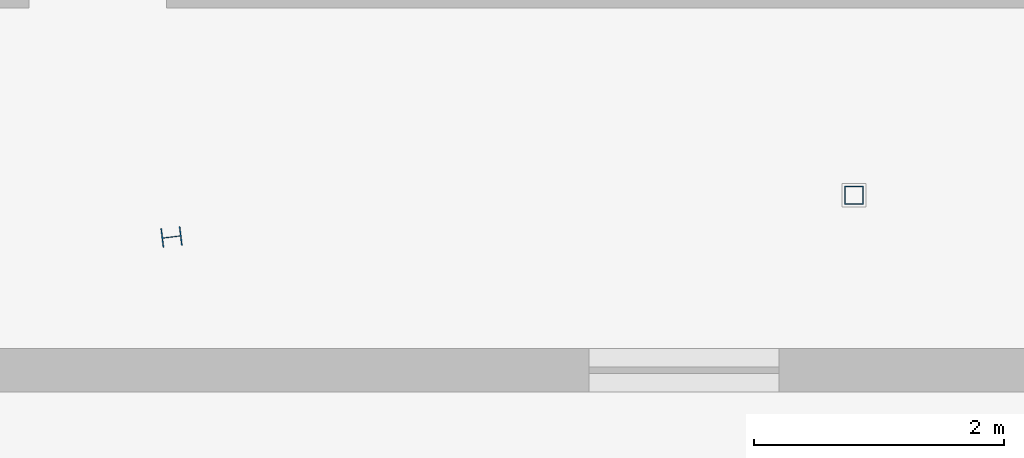
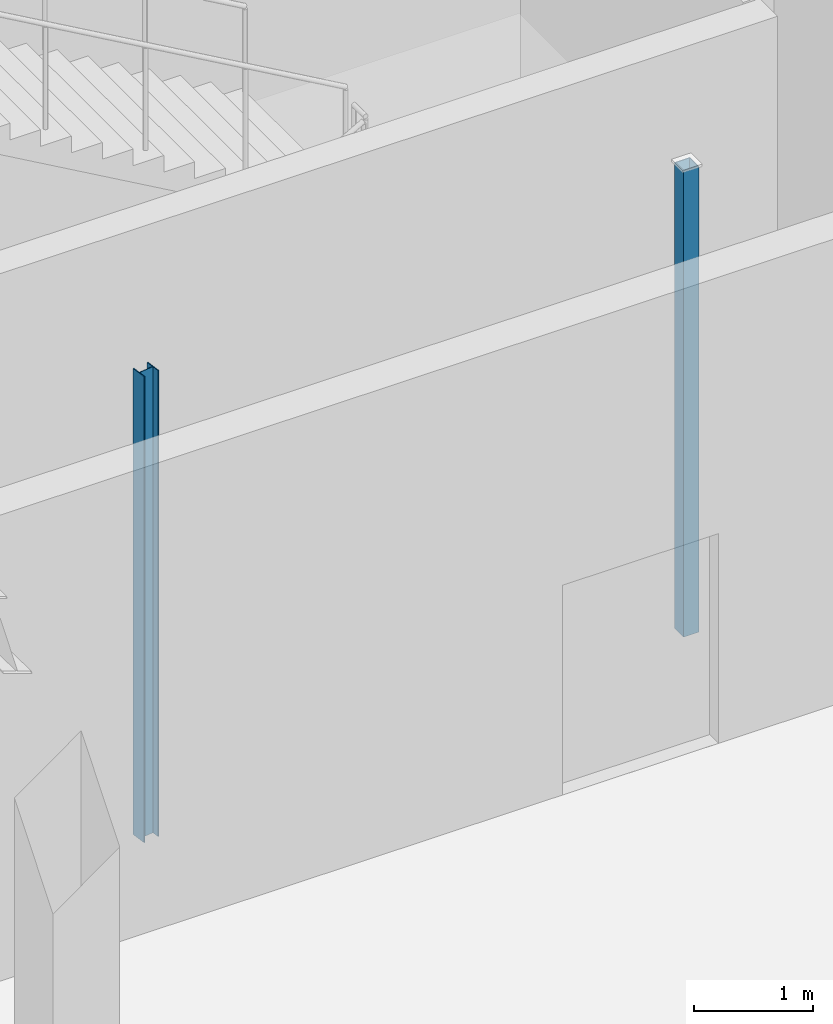
# One storey, part 31 of 226: 2 columns.
"""IFC4 building model written with IfcOpenShell, lengths in metres."""

import ifcopenshell
import ifcopenshell.guid

model = None  # the IFC model being written
_history = None  # IfcOwnerHistory: only IFC2X3 demands one
_inside = {}  # id of a spatial element -> (the spatial element, [elements in it])
_under = {}  # id of a project, library or spatial element -> (it, [spatial elements below it])
_declared = {}  # id of a project -> (the project, [libraries it declares])
_typed = {}  # id of a type object -> (the type object, [elements of that type])
_made_of = {}  # id of a material, layer set ... -> (it, [elements and type objects made of it])


def new_model(schema):
    """Start an empty IFC model of exactly this schema.

    Asked for "IFC4X3", IfcOpenShell would pick the latest addendum, in which some entities
    have other attributes; the version numbers below select the first issue.
    IFC2X3 requires an IfcOwnerHistory on every rooted entity: one is made here for all.
    """
    global model, _history
    if schema == "IFC4X3":
        model = ifcopenshell.file(schema_version=(4, 3, 0, 0))
    else:
        model = ifcopenshell.file(schema=schema)
    _inside.clear()
    _under.clear()
    _declared.clear()
    _typed.clear()
    _made_of.clear()
    _history = None
    if model.schema == "IFC2X3":
        org = make("IfcOrganization", Name="unknown")
        user = make(
            "IfcPersonAndOrganization",
            ThePerson=make("IfcPerson", FamilyName="unknown"),
            TheOrganization=org,
        )
        app = make(
            "IfcApplication",
            ApplicationDeveloper=org,
            Version="unknown",
            ApplicationFullName="unknown",
            ApplicationIdentifier="unknown",
        )
        _history = make(
            "IfcOwnerHistory",
            OwningUser=user,
            OwningApplication=app,
            ChangeAction="ADDED",
            CreationDate=0,
        )
    return model


def make(cls, **values):
    """One entity of the class cls with the attributes given. An attribute that is None is left unset."""
    return model.create_entity(
        cls, **{name: value for name, value in values.items() if value is not None}
    )


def rooted(cls, **values):
    """An entity with a GlobalId (a new one), such as an element, a storey or a relation."""
    return make(cls, GlobalId=ifcopenshell.guid.new(), OwnerHistory=_history, **values)


def si_unit(unit_type, name, prefix=None):
    """IfcSIUnit, for example si_unit("LENGTHUNIT", "METRE", prefix="MILLI")."""
    return make("IfcSIUnit", UnitType=unit_type, Prefix=prefix, Name=name)


def assignment(units):
    """IfcUnitAssignment: the units of a project."""
    return None if units is None else make("IfcUnitAssignment", Units=units)


def point(xyz):
    """IfcCartesianPoint."""
    return None if xyz is None else make("IfcCartesianPoint", Coordinates=xyz)


def direction(xyz):
    """IfcDirection."""
    return None if xyz is None else make("IfcDirection", DirectionRatios=xyz)


def frame(location, z_axis=None, x_axis=None):
    """IfcAxis2Placement3D, a coordinate frame: its origin and axes. An axis left out is left unset."""
    return make(
        "IfcAxis2Placement3D",
        Location=point(location),
        Axis=direction(z_axis),
        RefDirection=direction(x_axis),
    )


def frame_2d(location, x_axis=None):
    """IfcAxis2Placement2D, a coordinate frame in the plane: its origin and x axis."""
    return make(
        "IfcAxis2Placement2D", Location=point(location), RefDirection=direction(x_axis)
    )


def origin():
    """The frame at (0, 0, 0) with its axes left unset."""
    return frame((0.0, 0.0, 0.0))


def origin_2d():
    """The frame at (0, 0) in the plane with its x axis left unset."""
    return frame_2d((0.0, 0.0))


def place(relative_to, where):
    """IfcLocalPlacement: puts the frame where relative to a parent placement (None: the world)."""
    return make(
        "IfcLocalPlacement", PlacementRelTo=relative_to, RelativePlacement=where
    )


def context(
    kind, dimensions, precision=None, world=None, true_north=None, identifier=None
):
    """IfcGeometricRepresentationContext, for example the 3D "Model" context."""
    return make(
        "IfcGeometricRepresentationContext",
        ContextIdentifier=identifier,
        ContextType=kind,
        CoordinateSpaceDimension=dimensions,
        Precision=precision,
        WorldCoordinateSystem=world,
        TrueNorth=true_north,
    )


def subcontext(parent, identifier, kind, view, scale=None):
    """IfcGeometricRepresentationSubContext, for example "Body" below "Model"."""
    return make(
        "IfcGeometricRepresentationSubContext",
        ContextIdentifier=identifier,
        ContextType=kind,
        ParentContext=parent,
        TargetScale=scale,
        TargetView=view,
    )


def project(units=None, contexts=None):
    """IfcProject with its units and contexts."""
    return rooted(
        "IfcProject",
        Name="project",
        RepresentationContexts=contexts,
        UnitsInContext=assignment(units),
    )


def spatial(cls, under=None, at=None, **own):
    """A site, building, storey or space (cls), placed at a placement, below another one or the project."""
    s = rooted(cls, ObjectPlacement=at, **own)
    if under is not None:
        _under.setdefault(under.id(), (under, []))[1].append(s)
    return s


def profile(cls, at=None, kind="AREA", **sizes):
    """A parametric profile (cls). Its sizes go by their IFC names, for example OverallWidth=200.0."""
    return make(cls, ProfileType=kind, Position=at, **sizes)


def hollow_rectangle(**sizes):
    """IfcRectangleHollowProfileDef."""
    return profile("IfcRectangleHollowProfileDef", **sizes)


def i_section(**sizes):
    """IfcIShapeProfileDef."""
    return profile("IfcIShapeProfileDef", **sizes)


def extrude(swept, where, along, depth):
    """IfcExtrudedAreaSolid: the profile swept, set in the frame where, extruded along a direction by depth."""
    return make(
        "IfcExtrudedAreaSolid",
        SweptArea=swept,
        Position=where,
        ExtrudedDirection=direction(along),
        Depth=depth,
    )


def shape(context_of_items, identifier, shape_type, items):
    """IfcShapeRepresentation: the items that make up one representation, for example the "Body"."""
    return make(
        "IfcShapeRepresentation",
        ContextOfItems=context_of_items,
        RepresentationIdentifier=identifier,
        RepresentationType=shape_type,
        Items=items,
    )


def material(Name=None, Category=None):
    """IfcMaterial."""
    return make("IfcMaterial", Name=Name, Category=Category)


def material_profile(
    of_material, cross_section, Name=None, Category=None, Priority=None
):
    """IfcMaterialProfile: a cross section and its material."""
    return make(
        "IfcMaterialProfile",
        Name=Name,
        Material=of_material,
        Profile=cross_section,
        Priority=Priority,
        Category=Category,
    )


def profile_set(profiles, Name=None, composite=None):
    """IfcMaterialProfileSet."""
    return make(
        "IfcMaterialProfileSet",
        Name=Name,
        MaterialProfiles=profiles,
        CompositeProfile=composite,
    )


def made_of(thing, what):
    """Note that an element or type object is made of a material, layer set ...; save() writes the relation."""
    if what is not None:
        _made_of.setdefault(what.id(), (what, []))[1].append(thing)
    return thing


def type_object(cls, material=None, **own):
    """A type object (cls), such as IfcWallType, which elements share."""
    return made_of(rooted(cls, **own), material)


def element(
    cls,
    number,
    at=None,
    inside=None,
    cuts=None,
    type_object=None,
    material=None,
    context=None,
    identifier="Body",
    shape_type=None,
    held_by="IfcProductDefinitionShape",
    body=None,
    shapes=None,
    **own,
):
    """One element of the class cls, such as IfcWall. Its Tag is "e" and its number.

    at: its placement. inside: the storey or other place that contains it. cuts: it is an
    opening in that element (IfcRelVoidsElement). A single representation is given by context,
    identifier, shape_type and body (its items); several are given by shapes. held_by: the class
    of the entity that holds the representations. save() writes the other relations.
    """
    e = rooted(cls, Tag="e%d" % number, ObjectPlacement=at, **own)
    if body is not None:
        shapes = [shape(context, identifier, shape_type, body)]
    if shapes is not None:
        e.Representation = make(held_by, Representations=shapes)
    if inside is not None:
        _inside.setdefault(inside.id(), (inside, []))[1].append(e)
    if cuts is not None:
        rooted(
            "IfcRelVoidsElement", RelatingBuildingElement=cuts, RelatedOpeningElement=e
        )
    if type_object is not None:
        _typed.setdefault(type_object.id(), (type_object, []))[1].append(e)
    return made_of(e, material)


def aggregate(whole, parts):
    """IfcRelAggregates: a whole, such as a stair, and the parts it consists of."""
    return rooted("IfcRelAggregates", RelatingObject=whole, RelatedObjects=parts)


def save(model, path):
    """Write the relations noted so far, then the file.

    IfcRelAggregates (storeys below a building ...), IfcRelContainedInSpatialStructure (elements
    in a storey), IfcRelDefinesByType, IfcRelAssociatesMaterial and IfcRelDeclares: one each for
    every whole, place, type object, material and project.
    """
    for whole, parts in _under.values():
        aggregate(whole, parts)
    for where, things in _inside.values():
        rooted(
            "IfcRelContainedInSpatialStructure",
            RelatedElements=things,
            RelatingStructure=where,
        )
    for kind, things in _typed.values():
        rooted("IfcRelDefinesByType", RelatedObjects=things, RelatingType=kind)
    for what, things in _made_of.values():
        rooted("IfcRelAssociatesMaterial", RelatedObjects=things, RelatingMaterial=what)
    for by, libraries in _declared.values():
        rooted("IfcRelDeclares", RelatingContext=by, RelatedDefinitions=libraries)
    model.write(path)


model = new_model("IFC4")

# Units and contexts
model_context = context("Model", 3, precision=1e-05, world=origin(), true_north=direction((0.0, 1.0)))
body_context = subcontext(model_context, "Body", "Model", "MODEL_VIEW")
ifc_project = project(units=[si_unit("LENGTHUNIT", "METRE"), si_unit("AREAUNIT", "SQUARE_METRE"), si_unit("VOLUMEUNIT", "CUBIC_METRE"), si_unit("PLANEANGLEUNIT", "RADIAN"), si_unit("MASSUNIT", "GRAM", prefix="KILO")], contexts=[model_context])

# Site, building, storey
site_placement = place(None, origin())
site = spatial("IfcSite", under=ifc_project, at=site_placement, CompositionType="ELEMENT")
building_placement = place(site_placement, origin())
building = spatial("IfcBuilding", under=site, at=building_placement, Name="Tarnwether General Hospital", CompositionType="ELEMENT")
storey_placement = place(building_placement, frame((0.0, 0.0, 4.800048828125)))
storey = spatial("IfcBuildingStorey", under=building, at=storey_placement, Name="L01", CompositionType="ELEMENT", Elevation=4.800048828125)

# Columns
ifc_material_1 = material(Name="Steel Grade 350 (350 MPa)", Category="steel")
ifc_material_profile_1 = material_profile(ifc_material_1, i_section(OverallWidth=0.153076171875, OverallDepth=0.157958984375, WebThickness=0.006591796875, FlangeThickness=0.009521484375, at=origin_2d()), Name="150UC30.0")
ifc_profile_set_1 = profile_set([ifc_material_profile_1], Name="Steel Grade 350 (350 MPa)")
column_type_1 = type_object("IfcColumnType", Name="COL-31", PredefinedType="COLUMN", material=ifc_profile_set_1)
column_1_placement = place(storey_placement, frame((86.5400390625, 107.466064453125, 0.0), z_axis=(0.0, 0.0, 1.0), x_axis=(-0.121869343405, 0.992546151641, 0.0)))
element("IfcColumn", 1, at=column_1_placement, inside=storey, type_object=column_type_1, Name="Column COLG-L01-8654_10747", PredefinedType="COLUMN", context=body_context, shape_type="SweptSolid", body=[
    extrude(i_section(OverallWidth=0.153076171875, OverallDepth=0.157958984375, WebThickness=0.006591796875, FlangeThickness=0.009521484375, at=origin_2d()), origin(), (0.0, 0.0, 1.0), 4.800048828125),
])
ifc_material_2 = material(Name="Steel Grade C350L0 (350 MPa)", Category="steel")
ifc_material_profile_2 = material_profile(ifc_material_2, hollow_rectangle(XDim=0.14990234375, YDim=0.14990234375, WallThickness=0.008056640625, at=origin_2d()), Name="SHS150x150x8")
ifc_profile_set_2 = profile_set([ifc_material_profile_2], Name="Steel Grade C350L0 (350 MPa)")
column_type_2 = type_object("IfcColumnType", Name="COL-33", PredefinedType="COLUMN", material=ifc_profile_set_2)
column_2_placement = place(storey_placement, frame((92.0, 107.800048828125, 0.0), z_axis=(0.0, 0.0, 1.0), x_axis=(0.0, 1.0, 0.0)))
element("IfcColumn", 2, at=column_2_placement, inside=storey, type_object=column_type_2, Name="Column COLG-L01-9200_10780", PredefinedType="COLUMN", context=body_context, shape_type="SweptSolid", body=[
    extrude(hollow_rectangle(XDim=0.14990234375, YDim=0.14990234375, WallThickness=0.008056640625, at=origin_2d()), origin(), (0.0, 0.0, 1.0), 4.800048828125),
])

save(model, "model.ifc")
